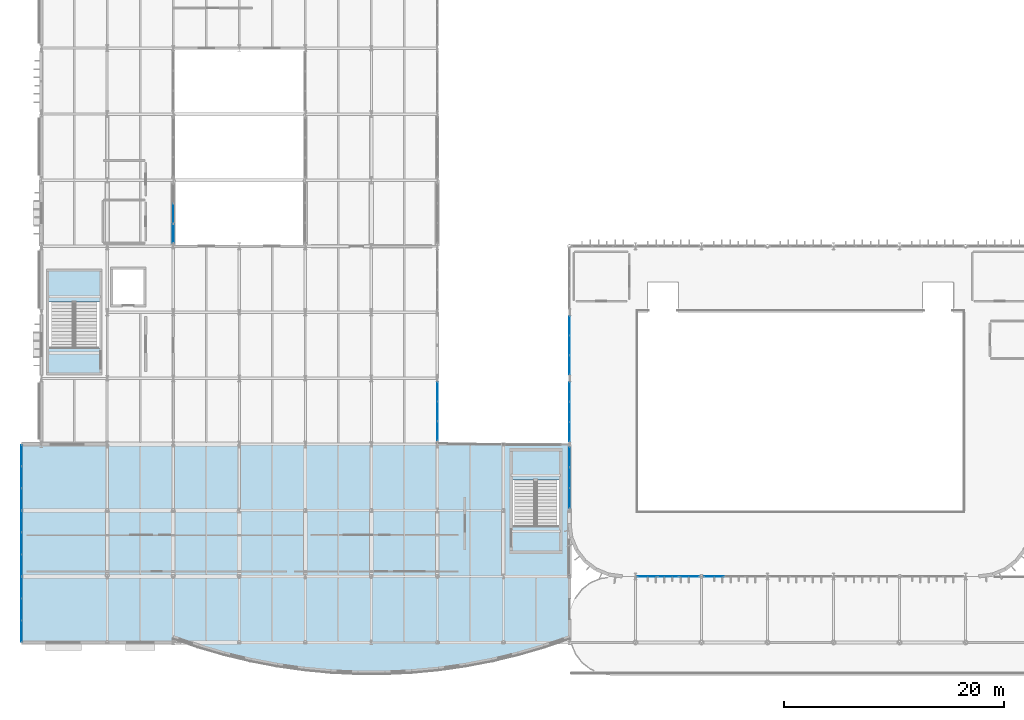
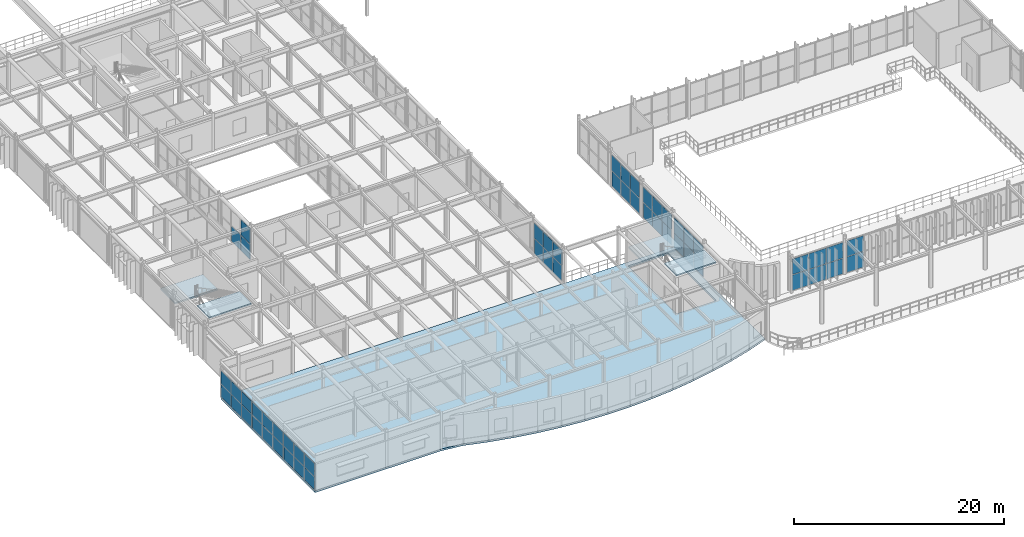
# One storey, part 55 of 96: 53 plates, 5 slabs, 12 elements without a shape of their own.
"""IFC4 building model written with IfcOpenShell, lengths in metres."""

from ifc_helpers import new_model, si_unit, direction, frame, origin, origin_2d, place, context, subcontext, project, spatial, polyline, rectangle, outline, extrude, material, layer, layer_set, type_object, element, aggregate, save


model = new_model("IFC4")

# Units and contexts
model_context = context("Model", 3, precision=1e-05, world=origin(), true_north=direction((0.0, 1.0)))
body_context = subcontext(model_context, "Body", "Model", "MODEL_VIEW")
ifc_project = project(units=[si_unit("LENGTHUNIT", "METRE"), si_unit("AREAUNIT", "SQUARE_METRE"), si_unit("VOLUMEUNIT", "CUBIC_METRE"), si_unit("PLANEANGLEUNIT", "RADIAN"), si_unit("MASSUNIT", "GRAM", prefix="KILO")], contexts=[model_context])

# Site, building, storey
site_placement = place(None, origin())
site = spatial("IfcSite", under=ifc_project, at=site_placement, CompositionType="ELEMENT")
building_placement = place(site_placement, origin())
building = spatial("IfcBuilding", under=site, at=building_placement, Name="Varnakota Square Police Headquarters", CompositionType="ELEMENT")
storey_placement = place(building_placement, frame((0.0, 0.0, 4.800048828125)))
storey = spatial("IfcBuildingStorey", under=building, at=storey_placement, Name="L01", CompositionType="ELEMENT", Elevation=4.800048828125)

# Curtain wall, plates
ifc_material_1 = material(Name="Anodised Aluminium Framing", Category="aluminium")
curtain_wall_type_1 = type_object("IfcCurtainWallType", Name="CW-SYS-B", PredefinedType="NOTDEFINED", material=ifc_material_1)
curtain_wall_1_placement = place(storey_placement, origin())
curtain_wall_1 = element("IfcCurtainWall", 1, at=curtain_wall_1_placement, inside=storey, type_object=curtain_wall_type_1, Name="Unitised curtain wall CWG-L01-031", PredefinedType="NOTDEFINED")
ifc_material_2 = material(Name="Solar-Control Laminated Double Glazing", Category="glass")
ifc_layer_1 = layer(ifc_material_2, 0.028076171875, Name="Solar-Control Laminated Double Glazing")
ifc_layer_set_1 = layer_set([ifc_layer_1], Name="Solar-Control Laminated Double Glazing")
plate_type_1 = type_object("IfcPlateType", Name="CWP-GLZ-28", PredefinedType="CURTAIN_PANEL", material=ifc_layer_set_1)
plate_1_placement = place(storey_placement, frame((54.0, 28.219482421875, 0.06494140625), z_axis=(0.0, 0.0, 1.0), x_axis=(0.0, 1.0, 0.0)))
plate_1 = element("IfcPlate", 2, at=plate_1_placement, type_object=plate_type_1, Name="CWG-L01-031 panel 1.1", PredefinedType="CURTAIN_PANEL", context=body_context, shape_type="SweptSolid", body=[
    extrude(rectangle(XDim=1.69921875, YDim=0.028076171875, at=origin_2d()), origin(), (0.0, 0.0, 1.0), 1.7724609375),
])
plate_2_placement = place(storey_placement, frame((54.0, 30.0, 0.06494140625), z_axis=(0.0, 0.0, 1.0), x_axis=(0.0, 1.0, 0.0)))
plate_2 = element("IfcPlate", 3, at=plate_2_placement, type_object=plate_type_1, Name="CWG-L01-031 panel 2.1", PredefinedType="CURTAIN_PANEL", context=body_context, shape_type="SweptSolid", body=[
    extrude(rectangle(XDim=1.731689453125, YDim=0.028076171875, at=origin_2d()), origin(), (0.0, 0.0, 1.0), 1.7724609375),
])
plate_3_placement = place(storey_placement, frame((54.0, 31.780517578125, 0.06494140625), z_axis=(0.0, 0.0, 1.0), x_axis=(0.0, 1.0, 0.0)))
plate_3 = element("IfcPlate", 4, at=plate_3_placement, type_object=plate_type_1, Name="CWG-L01-031 panel 3.1", PredefinedType="CURTAIN_PANEL", context=body_context, shape_type="SweptSolid", body=[
    extrude(rectangle(XDim=1.69921875, YDim=0.028076171875, at=origin_2d()), origin(), (0.0, 0.0, 1.0), 1.7724609375),
])

curtain_wall_2_placement = place(storey_placement, origin())
curtain_wall_2 = element("IfcCurtainWall", 5, at=curtain_wall_2_placement, inside=storey, type_object=curtain_wall_type_1, Name="Unitised curtain wall CWG-L01-043", PredefinedType="NOTDEFINED")
plate_4_placement = place(storey_placement, frame((4.199951171875, 10.016357421875, 0.06494140625), z_axis=(0.0, 0.0, 1.0), x_axis=(0.0, 1.0, 0.0)))
plate_4 = element("IfcPlate", 6, at=plate_4_placement, type_object=plate_type_1, Name="CWG-L01-043 panel 1.1", PredefinedType="CURTAIN_PANEL", context=body_context, shape_type="SweptSolid", body=[
    extrude(rectangle(XDim=1.902587890625, YDim=0.028076171875, at=origin_2d()), origin(), (0.0, 0.0, 1.0), 1.49755859375),
])
plate_5_placement = place(storey_placement, frame((4.199951171875, 12.0, 0.06494140625), z_axis=(0.0, 0.0, 1.0), x_axis=(0.0, 1.0, 0.0)))
plate_5 = element("IfcPlate", 7, at=plate_5_placement, type_object=plate_type_1, Name="CWG-L01-043 panel 2.1", PredefinedType="CURTAIN_PANEL", context=body_context, shape_type="SweptSolid", body=[
    extrude(rectangle(XDim=1.93505859375, YDim=0.028076171875, at=origin_2d()), origin(), (0.0, 0.0, 1.0), 1.49755859375),
])
plate_6_placement = place(storey_placement, frame((4.199951171875, 13.983642578125, 0.06494140625), z_axis=(0.0, 0.0, 1.0), x_axis=(0.0, 1.0, 0.0)))
plate_6 = element("IfcPlate", 8, at=plate_6_placement, type_object=plate_type_1, Name="CWG-L01-043 panel 3.1", PredefinedType="CURTAIN_PANEL", context=body_context, shape_type="SweptSolid", body=[
    extrude(rectangle(XDim=1.902587890625, YDim=0.028076171875, at=origin_2d()), origin(), (0.0, 0.0, 1.0), 1.49755859375),
])

curtain_wall_3_placement = place(storey_placement, origin())
curtain_wall_3 = element("IfcCurtainWall", 9, at=curtain_wall_3_placement, inside=storey, type_object=curtain_wall_type_1, Name="Unitised curtain wall CWG-L01-016", PredefinedType="NOTDEFINED")
ifc_material_3 = material(Name="Acoustic Laminated Double Glazing", Category="glass")
ifc_layer_2 = layer(ifc_material_3, 0.031982421875, Name="Acoustic Laminated Double Glazing")
ifc_layer_set_2 = layer_set([ifc_layer_2], Name="Acoustic Laminated Double Glazing")
plate_type_2 = type_object("IfcPlateType", Name="CWP-GLZ-32", PredefinedType="CURTAIN_PANEL", material=ifc_layer_set_2)
plate_7_placement = place(storey_placement, frame((61.0966796875, 9.0, 0.06494140625), z_axis=(0.0, 0.0, 1.0), x_axis=(1.0, 0.0, 0.0)))
plate_7 = element("IfcPlate", 10, at=plate_7_placement, type_object=plate_type_2, Name="CWG-L01-016 panel 1.1", PredefinedType="CURTAIN_PANEL", context=body_context, shape_type="SweptSolid", body=[
    extrude(rectangle(XDim=1.803466796875, YDim=0.031982421875, at=origin_2d()), origin(), (0.0, 0.0, 1.0), 1.797607421875),
])
plate_8_placement = place(storey_placement, frame((62.9814453125, 9.0, 0.06494140625), z_axis=(0.0, 0.0, 1.0), x_axis=(1.0, 0.0, 0.0)))
plate_8 = element("IfcPlate", 11, at=plate_8_placement, type_object=plate_type_2, Name="CWG-L01-016 panel 2.1", PredefinedType="CURTAIN_PANEL", context=body_context, shape_type="SweptSolid", body=[
    extrude(rectangle(XDim=1.8359375, YDim=0.031982421875, at=origin_2d()), origin(), (0.0, 0.0, 1.0), 1.797607421875),
])
plate_9_placement = place(storey_placement, frame((64.866455078125, 9.0, 0.06494140625), z_axis=(0.0, 0.0, 1.0), x_axis=(1.0, 0.0, 0.0)))
plate_9 = element("IfcPlate", 12, at=plate_9_placement, type_object=plate_type_2, Name="CWG-L01-016 panel 3.1", PredefinedType="CURTAIN_PANEL", context=body_context, shape_type="SweptSolid", body=[
    extrude(rectangle(XDim=1.803466796875, YDim=0.031982421875, at=origin_2d()), origin(), (0.0, 0.0, 1.0), 1.797607421875),
])

curtain_wall_4_placement = place(storey_placement, origin())
curtain_wall_4 = element("IfcCurtainWall", 13, at=curtain_wall_4_placement, inside=storey, type_object=curtain_wall_type_1, Name="Unitised curtain wall CWG-L01-028", PredefinedType="NOTDEFINED")
plate_10_placement = place(storey_placement, frame((54.0, 16.111328125, 0.06494140625), z_axis=(0.0, 0.0, 1.0), x_axis=(0.0, 1.0, 0.0)))
plate_10 = element("IfcPlate", 14, at=plate_10_placement, type_object=plate_type_2, Name="CWG-L01-028 panel 1.1", PredefinedType="CURTAIN_PANEL", context=body_context, shape_type="SweptSolid", body=[
    extrude(rectangle(XDim=1.782470703125, YDim=0.031982421875, at=origin_2d()), origin(), (0.0, 0.0, 1.0), 1.74755859375),
])
plate_11_placement = place(storey_placement, frame((54.0, 17.97509765625, 0.06494140625), z_axis=(0.0, 0.0, 1.0), x_axis=(0.0, 1.0, 0.0)))
plate_11 = element("IfcPlate", 15, at=plate_11_placement, type_object=plate_type_2, Name="CWG-L01-028 panel 2.1", PredefinedType="CURTAIN_PANEL", context=body_context, shape_type="SweptSolid", body=[
    extrude(rectangle(XDim=1.81494140625, YDim=0.031982421875, at=origin_2d()), origin(), (0.0, 0.0, 1.0), 1.74755859375),
])
plate_12_placement = place(storey_placement, frame((54.0, 19.8388671875, 0.06494140625), z_axis=(0.0, 0.0, 1.0), x_axis=(0.0, 1.0, 0.0)))
plate_12 = element("IfcPlate", 16, at=plate_12_placement, type_object=plate_type_2, Name="CWG-L01-028 panel 3.1", PredefinedType="CURTAIN_PANEL", context=body_context, shape_type="SweptSolid", body=[
    extrude(rectangle(XDim=1.782470703125, YDim=0.031982421875, at=origin_2d()), origin(), (0.0, 0.0, 1.0), 1.74755859375),
])

curtain_wall_5_placement = place(storey_placement, origin())
curtain_wall_5 = element("IfcCurtainWall", 17, at=curtain_wall_5_placement, inside=storey, type_object=curtain_wall_type_1, Name="Unitised curtain wall CWG-L01-044", PredefinedType="NOTDEFINED")
plate_13_placement = place(storey_placement, frame((4.199951171875, 16.016357421875, 0.06494140625), z_axis=(0.0, 0.0, 1.0), x_axis=(0.0, 1.0, 0.0)))
plate_13 = element("IfcPlate", 18, at=plate_13_placement, type_object=plate_type_2, Name="CWG-L01-044 panel 1.1", PredefinedType="CURTAIN_PANEL", context=body_context, shape_type="SweptSolid", body=[
    extrude(rectangle(XDim=1.902587890625, YDim=0.031982421875, at=origin_2d()), origin(), (0.0, 0.0, 1.0), 1.49755859375),
])
plate_14_placement = place(storey_placement, frame((4.199951171875, 18.0, 0.06494140625), z_axis=(0.0, 0.0, 1.0), x_axis=(0.0, 1.0, 0.0)))
plate_14 = element("IfcPlate", 19, at=plate_14_placement, type_object=plate_type_2, Name="CWG-L01-044 panel 2.1", PredefinedType="CURTAIN_PANEL", context=body_context, shape_type="SweptSolid", body=[
    extrude(rectangle(XDim=1.93505859375, YDim=0.031982421875, at=origin_2d()), origin(), (0.0, 0.0, 1.0), 1.49755859375),
])
plate_15_placement = place(storey_placement, frame((4.199951171875, 19.983642578125, 0.06494140625), z_axis=(0.0, 0.0, 1.0), x_axis=(0.0, 1.0, 0.0)))
plate_15 = element("IfcPlate", 20, at=plate_15_placement, type_object=plate_type_2, Name="CWG-L01-044 panel 3.1", PredefinedType="CURTAIN_PANEL", context=body_context, shape_type="SweptSolid", body=[
    extrude(rectangle(XDim=1.902587890625, YDim=0.031982421875, at=origin_2d()), origin(), (0.0, 0.0, 1.0), 1.49755859375),
])

curtain_wall_type_2 = type_object("IfcCurtainWallType", Name="CW-SYS-D", PredefinedType="NOTDEFINED", material=ifc_material_1)
curtain_wall_6_placement = place(storey_placement, origin())
curtain_wall_6 = element("IfcCurtainWall", 21, at=curtain_wall_6_placement, inside=storey, type_object=curtain_wall_type_2, Name="Unitised curtain wall CWG-L01-140", PredefinedType="NOTDEFINED")
plate_16_placement = place(storey_placement, frame((42.0, 22.219482421875, 0.06494140625), z_axis=(0.0, 0.0, 1.0), x_axis=(0.0, 1.0, 0.0)))
plate_16 = element("IfcPlate", 22, at=plate_16_placement, type_object=plate_type_2, Name="CWG-L01-140 panel 1.1", PredefinedType="CURTAIN_PANEL", context=body_context, shape_type="SweptSolid", body=[
    extrude(rectangle(XDim=1.69921875, YDim=0.031982421875, at=origin_2d()), origin(), (0.0, 0.0, 1.0), 1.74755859375),
])
plate_17_placement = place(storey_placement, frame((42.0, 24.0, 0.06494140625), z_axis=(0.0, 0.0, 1.0), x_axis=(0.0, 1.0, 0.0)))
plate_17 = element("IfcPlate", 23, at=plate_17_placement, type_object=plate_type_2, Name="CWG-L01-140 panel 2.1", PredefinedType="CURTAIN_PANEL", context=body_context, shape_type="SweptSolid", body=[
    extrude(rectangle(XDim=1.731689453125, YDim=0.031982421875, at=origin_2d()), origin(), (0.0, 0.0, 1.0), 1.74755859375),
])
plate_18_placement = place(storey_placement, frame((42.0, 25.780517578125, 0.06494140625), z_axis=(0.0, 0.0, 1.0), x_axis=(0.0, 1.0, 0.0)))
plate_18 = element("IfcPlate", 24, at=plate_18_placement, type_object=plate_type_2, Name="CWG-L01-140 panel 3.1", PredefinedType="CURTAIN_PANEL", context=body_context, shape_type="SweptSolid", body=[
    extrude(rectangle(XDim=1.69921875, YDim=0.031982421875, at=origin_2d()), origin(), (0.0, 0.0, 1.0), 1.74755859375),
])

curtain_wall_type_3 = type_object("IfcCurtainWallType", Name="CW-SYS-F", PredefinedType="NOTDEFINED", material=ifc_material_1)
curtain_wall_7_placement = place(storey_placement, origin())
curtain_wall_7 = element("IfcCurtainWall", 25, at=curtain_wall_7_placement, inside=storey, type_object=curtain_wall_type_3, Name="Unitised curtain wall CWG-L01-148", PredefinedType="NOTDEFINED")
plate_19_placement = place(storey_placement, frame((18.0, 40.156982421875, 0.06494140625), z_axis=(0.0, 0.0, 1.0), x_axis=(0.0, 1.0, 0.0)))
plate_19 = element("IfcPlate", 26, at=plate_19_placement, type_object=plate_type_2, Name="CWG-L01-148 panel 1.1", PredefinedType="CURTAIN_PANEL", context=body_context, shape_type="SweptSolid", body=[
    extrude(rectangle(XDim=1.72412109375, YDim=0.031982421875, at=origin_2d()), origin(), (0.0, 0.0, 1.0), 1.794189453125),
])
plate_20_placement = place(storey_placement, frame((18.0, 41.96240234375, 0.06494140625), z_axis=(0.0, 0.0, 1.0), x_axis=(0.0, 1.0, 0.0)))
plate_20 = element("IfcPlate", 27, at=plate_20_placement, type_object=plate_type_2, Name="CWG-L01-148 panel 2.1", PredefinedType="CURTAIN_PANEL", context=body_context, shape_type="SweptSolid", body=[
    extrude(rectangle(XDim=1.756591796875, YDim=0.031982421875, at=origin_2d()), origin(), (0.0, 0.0, 1.0), 1.794189453125),
])

# Curtain wall, plate
curtain_wall_8_placement = place(storey_placement, origin())
curtain_wall_8 = element("IfcCurtainWall", 28, at=curtain_wall_8_placement, inside=storey, type_object=curtain_wall_type_1, Name="Unitised curtain wall CWG-L01-017", PredefinedType="NOTDEFINED")
ifc_material_4 = material(Name="Blast-Resistant Laminated Glazing", Category="glass")
ifc_layer_3 = layer(ifc_material_4, 0.035888671875, Name="Blast-Resistant Laminated Glazing")
ifc_layer_set_3 = layer_set([ifc_layer_3], Name="Blast-Resistant Laminated Glazing")
plate_type_3 = type_object("IfcPlateType", Name="CWP-GLZ-36", PredefinedType="CURTAIN_PANEL", material=ifc_layer_set_3)
plate_21_placement = place(storey_placement, frame((67.133544921875, 9.0, 0.06494140625), z_axis=(0.0, 0.0, 1.0), x_axis=(1.0, 0.0, 0.0)))
plate_21 = element("IfcPlate", 29, at=plate_21_placement, type_object=plate_type_3, Name="CWG-L01-017 panel 1.1", PredefinedType="CURTAIN_PANEL", context=body_context, shape_type="SweptSolid", body=[
    extrude(rectangle(XDim=1.803466796875, YDim=0.035888671875, at=origin_2d()), origin(), (0.0, 0.0, 1.0), 1.797607421875),
])

# Curtain wall, plates
curtain_wall_9_placement = place(storey_placement, origin())
curtain_wall_9 = element("IfcCurtainWall", 30, at=curtain_wall_9_placement, inside=storey, type_object=curtain_wall_type_1, Name="Unitised curtain wall CWG-L01-029", PredefinedType="NOTDEFINED")
plate_22_placement = place(storey_placement, frame((54.0, 22.13623046875, 0.06494140625), z_axis=(0.0, 0.0, 1.0), x_axis=(0.0, 1.0, 0.0)))
plate_22 = element("IfcPlate", 31, at=plate_22_placement, type_object=plate_type_3, Name="CWG-L01-029 panel 1.1", PredefinedType="CURTAIN_PANEL", context=body_context, shape_type="SweptSolid", body=[
    extrude(rectangle(XDim=1.732421875, YDim=0.035888671875, at=origin_2d()), origin(), (0.0, 0.0, 1.0), 1.74755859375),
])
plate_23_placement = place(storey_placement, frame((54.0, 23.949951171875, 0.06494140625), z_axis=(0.0, 0.0, 1.0), x_axis=(0.0, 1.0, 0.0)))
plate_23 = element("IfcPlate", 32, at=plate_23_placement, type_object=plate_type_3, Name="CWG-L01-029 panel 2.1", PredefinedType="CURTAIN_PANEL", context=body_context, shape_type="SweptSolid", body=[
    extrude(rectangle(XDim=1.764892578125, YDim=0.035888671875, at=origin_2d()), origin(), (0.0, 0.0, 1.0), 1.74755859375),
])
plate_24_placement = place(storey_placement, frame((54.0, 25.763671875, 0.06494140625), z_axis=(0.0, 0.0, 1.0), x_axis=(0.0, 1.0, 0.0)))
plate_24 = element("IfcPlate", 33, at=plate_24_placement, type_object=plate_type_3, Name="CWG-L01-029 panel 3.1", PredefinedType="CURTAIN_PANEL", context=body_context, shape_type="SweptSolid", body=[
    extrude(rectangle(XDim=1.732421875, YDim=0.035888671875, at=origin_2d()), origin(), (0.0, 0.0, 1.0), 1.74755859375),
])

curtain_wall_10_placement = place(storey_placement, origin())
curtain_wall_10 = element("IfcCurtainWall", 34, at=curtain_wall_10_placement, inside=storey, type_object=curtain_wall_type_1, Name="Unitised curtain wall CWG-L01-042", PredefinedType="NOTDEFINED")
ifc_material_5 = material(Name="Triple-Glazed Clean-Lab Vision Unit", Category="aluminium")
ifc_layer_4 = layer(ifc_material_5, 0.0419921875, Name="Triple-Glazed Clean-Lab Vision Unit")
ifc_layer_set_4 = layer_set([ifc_layer_4], Name="Triple-Glazed Clean-Lab Vision Unit")
plate_type_4 = type_object("IfcPlateType", Name="CWP-GLZ-42", PredefinedType="CURTAIN_PANEL", material=ifc_layer_set_4)
plate_25_placement = place(storey_placement, frame((4.199951171875, 4.016357421875, 0.06494140625), z_axis=(0.0, 0.0, 1.0), x_axis=(0.0, 1.0, 0.0)))
plate_25 = element("IfcPlate", 35, at=plate_25_placement, type_object=plate_type_4, Name="CWG-L01-042 panel 1.1", PredefinedType="CURTAIN_PANEL", context=body_context, shape_type="SweptSolid", body=[
    extrude(rectangle(XDim=1.902587890625, YDim=0.0419921875, at=origin_2d()), origin(), (0.0, 0.0, 1.0), 1.49755859375),
])
plate_26_placement = place(storey_placement, frame((4.199951171875, 6.0, 0.06494140625), z_axis=(0.0, 0.0, 1.0), x_axis=(0.0, 1.0, 0.0)))
plate_26 = element("IfcPlate", 36, at=plate_26_placement, type_object=plate_type_4, Name="CWG-L01-042 panel 2.1", PredefinedType="CURTAIN_PANEL", context=body_context, shape_type="SweptSolid", body=[
    extrude(rectangle(XDim=1.93505859375, YDim=0.0419921875, at=origin_2d()), origin(), (0.0, 0.0, 1.0), 1.49755859375),
])
plate_27_placement = place(storey_placement, frame((4.199951171875, 7.983642578125, 0.06494140625), z_axis=(0.0, 0.0, 1.0), x_axis=(0.0, 1.0, 0.0)))
plate_27 = element("IfcPlate", 37, at=plate_27_placement, type_object=plate_type_4, Name="CWG-L01-042 panel 3.1", PredefinedType="CURTAIN_PANEL", context=body_context, shape_type="SweptSolid", body=[
    extrude(rectangle(XDim=1.902587890625, YDim=0.0419921875, at=origin_2d()), origin(), (0.0, 0.0, 1.0), 1.49755859375),
])

# Plate
ifc_material_6 = material(Name="Insulated Anodised Aluminium Spandrel Panel", Category="aluminium")
ifc_layer_5 = layer(ifc_material_6, 0.050048828125, Name="Insulated Anodised Aluminium Spandrel Panel")
ifc_layer_set_5 = layer_set([ifc_layer_5], Name="Insulated Anodised Aluminium Spandrel Panel")
plate_type_5 = type_object("IfcPlateType", Name="CWP-SPN-50", PredefinedType="CURTAIN_PANEL", material=ifc_layer_set_5)
plate_28_placement = place(storey_placement, frame((67.133544921875, 9.0, 1.92724609375), z_axis=(0.0, 0.0, 1.0), x_axis=(1.0, 0.0, 0.0)))
plate_28 = element("IfcPlate", 38, at=plate_28_placement, type_object=plate_type_5, Name="CWG-L01-017 panel 1.2", PredefinedType="CURTAIN_PANEL", context=body_context, shape_type="SweptSolid", body=[
    extrude(rectangle(XDim=1.803466796875, YDim=0.050048828125, at=origin_2d()), origin(), (0.0, 0.0, 1.0), 1.797607421875),
])

aggregate(curtain_wall_8, [plate_21, plate_28])

plate_29_placement = place(storey_placement, frame((54.0, 22.13623046875, 1.87744140625), z_axis=(0.0, 0.0, 1.0), x_axis=(0.0, 1.0, 0.0)))
plate_29 = element("IfcPlate", 39, at=plate_29_placement, type_object=plate_type_5, Name="CWG-L01-029 panel 1.2", PredefinedType="CURTAIN_PANEL", context=body_context, shape_type="SweptSolid", body=[
    extrude(rectangle(XDim=1.732421875, YDim=0.050048828125, at=origin_2d()), origin(), (0.0, 0.0, 1.0), 1.74755859375),
])

plate_30_placement = place(storey_placement, frame((54.0, 23.949951171875, 1.87744140625), z_axis=(0.0, 0.0, 1.0), x_axis=(0.0, 1.0, 0.0)))
plate_30 = element("IfcPlate", 40, at=plate_30_placement, type_object=plate_type_5, Name="CWG-L01-029 panel 2.2", PredefinedType="CURTAIN_PANEL", context=body_context, shape_type="SweptSolid", body=[
    extrude(rectangle(XDim=1.764892578125, YDim=0.050048828125, at=origin_2d()), origin(), (0.0, 0.0, 1.0), 1.74755859375),
])

plate_31_placement = place(storey_placement, frame((54.0, 25.763671875, 1.87744140625), z_axis=(0.0, 0.0, 1.0), x_axis=(0.0, 1.0, 0.0)))
plate_31 = element("IfcPlate", 41, at=plate_31_placement, type_object=plate_type_5, Name="CWG-L01-029 panel 3.2", PredefinedType="CURTAIN_PANEL", context=body_context, shape_type="SweptSolid", body=[
    extrude(rectangle(XDim=1.732421875, YDim=0.050048828125, at=origin_2d()), origin(), (0.0, 0.0, 1.0), 1.74755859375),
])

aggregate(curtain_wall_9, [plate_22, plate_29, plate_23, plate_30, plate_24, plate_31])

plate_32_placement = place(storey_placement, frame((54.0, 28.219482421875, 1.902587890625), z_axis=(0.0, 0.0, 1.0), x_axis=(0.0, 1.0, 0.0)))
plate_32 = element("IfcPlate", 42, at=plate_32_placement, type_object=plate_type_5, Name="CWG-L01-031 panel 1.2", PredefinedType="CURTAIN_PANEL", context=body_context, shape_type="SweptSolid", body=[
    extrude(rectangle(XDim=1.69921875, YDim=0.050048828125, at=origin_2d()), origin(), (0.0, 0.0, 1.0), 1.7724609375),
])

plate_33_placement = place(storey_placement, frame((54.0, 30.0, 1.902587890625), z_axis=(0.0, 0.0, 1.0), x_axis=(0.0, 1.0, 0.0)))
plate_33 = element("IfcPlate", 43, at=plate_33_placement, type_object=plate_type_5, Name="CWG-L01-031 panel 2.2", PredefinedType="CURTAIN_PANEL", context=body_context, shape_type="SweptSolid", body=[
    extrude(rectangle(XDim=1.731689453125, YDim=0.050048828125, at=origin_2d()), origin(), (0.0, 0.0, 1.0), 1.7724609375),
])

plate_34_placement = place(storey_placement, frame((54.0, 31.780517578125, 1.902587890625), z_axis=(0.0, 0.0, 1.0), x_axis=(0.0, 1.0, 0.0)))
plate_34 = element("IfcPlate", 44, at=plate_34_placement, type_object=plate_type_5, Name="CWG-L01-031 panel 3.2", PredefinedType="CURTAIN_PANEL", context=body_context, shape_type="SweptSolid", body=[
    extrude(rectangle(XDim=1.69921875, YDim=0.050048828125, at=origin_2d()), origin(), (0.0, 0.0, 1.0), 1.7724609375),
])

aggregate(curtain_wall_1, [plate_1, plate_32, plate_2, plate_33, plate_3, plate_34])

plate_35_placement = place(storey_placement, frame((4.199951171875, 10.016357421875, 1.62744140625), z_axis=(0.0, 0.0, 1.0), x_axis=(0.0, 1.0, 0.0)))
plate_35 = element("IfcPlate", 45, at=plate_35_placement, type_object=plate_type_5, Name="CWG-L01-043 panel 1.2", PredefinedType="CURTAIN_PANEL", context=body_context, shape_type="SweptSolid", body=[
    extrude(rectangle(XDim=1.902587890625, YDim=0.050048828125, at=origin_2d()), origin(), (0.0, 0.0, 1.0), 1.49755859375),
])

plate_36_placement = place(storey_placement, frame((4.199951171875, 12.0, 1.62744140625), z_axis=(0.0, 0.0, 1.0), x_axis=(0.0, 1.0, 0.0)))
plate_36 = element("IfcPlate", 46, at=plate_36_placement, type_object=plate_type_5, Name="CWG-L01-043 panel 2.2", PredefinedType="CURTAIN_PANEL", context=body_context, shape_type="SweptSolid", body=[
    extrude(rectangle(XDim=1.93505859375, YDim=0.050048828125, at=origin_2d()), origin(), (0.0, 0.0, 1.0), 1.49755859375),
])

plate_37_placement = place(storey_placement, frame((4.199951171875, 13.983642578125, 1.62744140625), z_axis=(0.0, 0.0, 1.0), x_axis=(0.0, 1.0, 0.0)))
plate_37 = element("IfcPlate", 47, at=plate_37_placement, type_object=plate_type_5, Name="CWG-L01-043 panel 3.2", PredefinedType="CURTAIN_PANEL", context=body_context, shape_type="SweptSolid", body=[
    extrude(rectangle(XDim=1.902587890625, YDim=0.050048828125, at=origin_2d()), origin(), (0.0, 0.0, 1.0), 1.49755859375),
])

aggregate(curtain_wall_2, [plate_4, plate_35, plate_5, plate_36, plate_6, plate_37])

ifc_material_7 = material(Name="Fire-Stopped Mineral-Wool Spandrel Panel", Category="aluminium")
ifc_layer_6 = layer(ifc_material_7, 0.06005859375, Name="Fire-Stopped Mineral-Wool Spandrel Panel")
ifc_layer_set_6 = layer_set([ifc_layer_6], Name="Fire-Stopped Mineral-Wool Spandrel Panel")
plate_type_6 = type_object("IfcPlateType", Name="CWP-SPN-60", PredefinedType="CURTAIN_PANEL", material=ifc_layer_set_6)
plate_38_placement = place(storey_placement, frame((61.0966796875, 9.0, 1.92724609375), z_axis=(0.0, 0.0, 1.0), x_axis=(1.0, 0.0, 0.0)))
plate_38 = element("IfcPlate", 48, at=plate_38_placement, type_object=plate_type_6, Name="CWG-L01-016 panel 1.2", PredefinedType="CURTAIN_PANEL", context=body_context, shape_type="SweptSolid", body=[
    extrude(rectangle(XDim=1.803466796875, YDim=0.06005859375, at=origin_2d()), origin(), (0.0, 0.0, 1.0), 1.797607421875),
])

plate_39_placement = place(storey_placement, frame((62.9814453125, 9.0, 1.92724609375), z_axis=(0.0, 0.0, 1.0), x_axis=(1.0, 0.0, 0.0)))
plate_39 = element("IfcPlate", 49, at=plate_39_placement, type_object=plate_type_6, Name="CWG-L01-016 panel 2.2", PredefinedType="CURTAIN_PANEL", context=body_context, shape_type="SweptSolid", body=[
    extrude(rectangle(XDim=1.8359375, YDim=0.06005859375, at=origin_2d()), origin(), (0.0, 0.0, 1.0), 1.797607421875),
])

plate_40_placement = place(storey_placement, frame((64.866455078125, 9.0, 1.92724609375), z_axis=(0.0, 0.0, 1.0), x_axis=(1.0, 0.0, 0.0)))
plate_40 = element("IfcPlate", 50, at=plate_40_placement, type_object=plate_type_6, Name="CWG-L01-016 panel 3.2", PredefinedType="CURTAIN_PANEL", context=body_context, shape_type="SweptSolid", body=[
    extrude(rectangle(XDim=1.803466796875, YDim=0.06005859375, at=origin_2d()), origin(), (0.0, 0.0, 1.0), 1.797607421875),
])

aggregate(curtain_wall_3, [plate_7, plate_38, plate_8, plate_39, plate_9, plate_40])

plate_41_placement = place(storey_placement, frame((54.0, 16.111328125, 1.87744140625), z_axis=(0.0, 0.0, 1.0), x_axis=(0.0, 1.0, 0.0)))
plate_41 = element("IfcPlate", 51, at=plate_41_placement, type_object=plate_type_6, Name="CWG-L01-028 panel 1.2", PredefinedType="CURTAIN_PANEL", context=body_context, shape_type="SweptSolid", body=[
    extrude(rectangle(XDim=1.782470703125, YDim=0.06005859375, at=origin_2d()), origin(), (0.0, 0.0, 1.0), 1.74755859375),
])

plate_42_placement = place(storey_placement, frame((54.0, 17.97509765625, 1.87744140625), z_axis=(0.0, 0.0, 1.0), x_axis=(0.0, 1.0, 0.0)))
plate_42 = element("IfcPlate", 52, at=plate_42_placement, type_object=plate_type_6, Name="CWG-L01-028 panel 2.2", PredefinedType="CURTAIN_PANEL", context=body_context, shape_type="SweptSolid", body=[
    extrude(rectangle(XDim=1.81494140625, YDim=0.06005859375, at=origin_2d()), origin(), (0.0, 0.0, 1.0), 1.74755859375),
])

plate_43_placement = place(storey_placement, frame((54.0, 19.8388671875, 1.87744140625), z_axis=(0.0, 0.0, 1.0), x_axis=(0.0, 1.0, 0.0)))
plate_43 = element("IfcPlate", 53, at=plate_43_placement, type_object=plate_type_6, Name="CWG-L01-028 panel 3.2", PredefinedType="CURTAIN_PANEL", context=body_context, shape_type="SweptSolid", body=[
    extrude(rectangle(XDim=1.782470703125, YDim=0.06005859375, at=origin_2d()), origin(), (0.0, 0.0, 1.0), 1.74755859375),
])

aggregate(curtain_wall_4, [plate_10, plate_41, plate_11, plate_42, plate_12, plate_43])

plate_44_placement = place(storey_placement, frame((4.199951171875, 4.016357421875, 1.62744140625), z_axis=(0.0, 0.0, 1.0), x_axis=(0.0, 1.0, 0.0)))
plate_44 = element("IfcPlate", 54, at=plate_44_placement, type_object=plate_type_6, Name="CWG-L01-042 panel 1.2", PredefinedType="CURTAIN_PANEL", context=body_context, shape_type="SweptSolid", body=[
    extrude(rectangle(XDim=1.902587890625, YDim=0.06005859375, at=origin_2d()), origin(), (0.0, 0.0, 1.0), 1.49755859375),
])

plate_45_placement = place(storey_placement, frame((4.199951171875, 6.0, 1.62744140625), z_axis=(0.0, 0.0, 1.0), x_axis=(0.0, 1.0, 0.0)))
plate_45 = element("IfcPlate", 55, at=plate_45_placement, type_object=plate_type_6, Name="CWG-L01-042 panel 2.2", PredefinedType="CURTAIN_PANEL", context=body_context, shape_type="SweptSolid", body=[
    extrude(rectangle(XDim=1.93505859375, YDim=0.06005859375, at=origin_2d()), origin(), (0.0, 0.0, 1.0), 1.49755859375),
])

plate_46_placement = place(storey_placement, frame((4.199951171875, 7.983642578125, 1.62744140625), z_axis=(0.0, 0.0, 1.0), x_axis=(0.0, 1.0, 0.0)))
plate_46 = element("IfcPlate", 56, at=plate_46_placement, type_object=plate_type_6, Name="CWG-L01-042 panel 3.2", PredefinedType="CURTAIN_PANEL", context=body_context, shape_type="SweptSolid", body=[
    extrude(rectangle(XDim=1.902587890625, YDim=0.06005859375, at=origin_2d()), origin(), (0.0, 0.0, 1.0), 1.49755859375),
])

aggregate(curtain_wall_10, [plate_25, plate_44, plate_26, plate_45, plate_27, plate_46])

plate_47_placement = place(storey_placement, frame((4.199951171875, 16.016357421875, 1.62744140625), z_axis=(0.0, 0.0, 1.0), x_axis=(0.0, 1.0, 0.0)))
plate_47 = element("IfcPlate", 57, at=plate_47_placement, type_object=plate_type_6, Name="CWG-L01-044 panel 1.2", PredefinedType="CURTAIN_PANEL", context=body_context, shape_type="SweptSolid", body=[
    extrude(rectangle(XDim=1.902587890625, YDim=0.06005859375, at=origin_2d()), origin(), (0.0, 0.0, 1.0), 1.49755859375),
])

plate_48_placement = place(storey_placement, frame((4.199951171875, 18.0, 1.62744140625), z_axis=(0.0, 0.0, 1.0), x_axis=(0.0, 1.0, 0.0)))
plate_48 = element("IfcPlate", 58, at=plate_48_placement, type_object=plate_type_6, Name="CWG-L01-044 panel 2.2", PredefinedType="CURTAIN_PANEL", context=body_context, shape_type="SweptSolid", body=[
    extrude(rectangle(XDim=1.93505859375, YDim=0.06005859375, at=origin_2d()), origin(), (0.0, 0.0, 1.0), 1.49755859375),
])

plate_49_placement = place(storey_placement, frame((4.199951171875, 19.983642578125, 1.62744140625), z_axis=(0.0, 0.0, 1.0), x_axis=(0.0, 1.0, 0.0)))
plate_49 = element("IfcPlate", 59, at=plate_49_placement, type_object=plate_type_6, Name="CWG-L01-044 panel 3.2", PredefinedType="CURTAIN_PANEL", context=body_context, shape_type="SweptSolid", body=[
    extrude(rectangle(XDim=1.902587890625, YDim=0.06005859375, at=origin_2d()), origin(), (0.0, 0.0, 1.0), 1.49755859375),
])

aggregate(curtain_wall_5, [plate_13, plate_47, plate_14, plate_48, plate_15, plate_49])

plate_50_placement = place(storey_placement, frame((42.0, 22.219482421875, 1.87744140625), z_axis=(0.0, 0.0, 1.0), x_axis=(0.0, 1.0, 0.0)))
plate_50 = element("IfcPlate", 60, at=plate_50_placement, type_object=plate_type_6, Name="CWG-L01-140 panel 1.2", PredefinedType="CURTAIN_PANEL", context=body_context, shape_type="SweptSolid", body=[
    extrude(rectangle(XDim=1.69921875, YDim=0.06005859375, at=origin_2d()), origin(), (0.0, 0.0, 1.0), 1.74755859375),
])

plate_51_placement = place(storey_placement, frame((42.0, 24.0, 1.87744140625), z_axis=(0.0, 0.0, 1.0), x_axis=(0.0, 1.0, 0.0)))
plate_51 = element("IfcPlate", 61, at=plate_51_placement, type_object=plate_type_6, Name="CWG-L01-140 panel 2.2", PredefinedType="CURTAIN_PANEL", context=body_context, shape_type="SweptSolid", body=[
    extrude(rectangle(XDim=1.731689453125, YDim=0.06005859375, at=origin_2d()), origin(), (0.0, 0.0, 1.0), 1.74755859375),
])

plate_52_placement = place(storey_placement, frame((42.0, 25.780517578125, 1.87744140625), z_axis=(0.0, 0.0, 1.0), x_axis=(0.0, 1.0, 0.0)))
plate_52 = element("IfcPlate", 62, at=plate_52_placement, type_object=plate_type_6, Name="CWG-L01-140 panel 3.2", PredefinedType="CURTAIN_PANEL", context=body_context, shape_type="SweptSolid", body=[
    extrude(rectangle(XDim=1.69921875, YDim=0.06005859375, at=origin_2d()), origin(), (0.0, 0.0, 1.0), 1.74755859375),
])

aggregate(curtain_wall_6, [plate_16, plate_50, plate_17, plate_51, plate_18, plate_52])

plate_53_placement = place(storey_placement, frame((18.0, 40.156982421875, 1.92431640625), z_axis=(0.0, 0.0, 1.0), x_axis=(0.0, 1.0, 0.0)))
plate_53 = element("IfcPlate", 63, at=plate_53_placement, type_object=plate_type_6, Name="CWG-L01-148 panel 1.2", PredefinedType="CURTAIN_PANEL", context=body_context, shape_type="SweptSolid", body=[
    extrude(rectangle(XDim=1.72412109375, YDim=0.06005859375, at=origin_2d()), origin(), (0.0, 0.0, 1.0), 1.794189453125),
])

aggregate(curtain_wall_7, [plate_19, plate_53, plate_20])

# Slab
ifc_material_8 = material(Name="Concrete M40", Category="concrete")
ifc_layer_7 = layer(ifc_material_8, 0.219970703125, Name="Concrete M40")
ifc_layer_set_7 = layer_set([ifc_layer_7], Name="Concrete M40")
slab_type_1 = type_object("IfcSlabType", Name="SL-COMP-220", PredefinedType="FLOOR", material=ifc_layer_set_7)
slab_1_placement = place(storey_placement, frame((0.0, 0.0, -0.219970703125)))
element("IfcSlab", 64, at=slab_1_placement, inside=storey, type_object=slab_type_1, Name="L01 Curved Colonnade and Cantilever Slab", PredefinedType="FLOOR", context=body_context, shape_type="SweptSolid", body=[
    extrude(outline(polyline([(4.199951171875, 3.0), (18.0, 3.0), (20.318359375, 2.706298828125), (22.67138671875, 2.0224609375), (25.05419921875, 1.4501953125), (27.461181640625, 0.9912109375), (29.887451171875, 0.645751953125), (32.326904296875, 0.4150390625), (34.77490234375, 0.2998046875), (37.22509765625, 0.2998046875), (39.673095703125, 0.4150390625), (42.112548828125, 0.645751953125), (44.538818359375, 0.9912109375), (46.94580078125, 1.4501953125), (49.32861328125, 2.0224609375), (51.681640625, 2.706298828125), (54.0, 3.5), (54.0, 21.0), (4.199951171875, 21.0), (4.199951171875, 3.0)]), holes=[polyline([(48.7548828125, 11.2548828125), (53.14501953125, 11.2548828125), (53.14501953125, 20.445068359375), (48.7548828125, 20.445068359375), (48.7548828125, 11.2548828125)])]), origin(), (0.0, 0.0, 1.0), 0.219970703125),
])

# Stair, slabs
stair_type_1 = type_object("IfcStairType", Name="STR-DOG-1850", PredefinedType="USERDEFINED", material=ifc_material_8)
stair_1_placement = place(storey_placement, origin())
stair_1 = element("IfcStair", 65, at=stair_1_placement, inside=storey, type_object=stair_type_1, Name="Protected exit stair ST10 (L01)", ObjectType="TWO_RETURN_STAIR", PredefinedType="USERDEFINED")
ifc_layer_8 = layer(ifc_material_8, 0.157958984375, Name="Concrete M40")
ifc_layer_set_8 = layer_set([ifc_layer_8], Name="Concrete M40")
slab_type_2 = type_object("IfcSlabType", Name="SLB-LND-1850", PredefinedType="LANDING", material=ifc_layer_set_8)
slab_2_placement = place(storey_placement, frame((0.0, 0.0, 2.092041015625)))
slab_2 = element("IfcSlab", 66, at=slab_2_placement, type_object=slab_type_2, Name="ST10-L01 landing 1", PredefinedType="LANDING", context=body_context, shape_type="SweptSolid", body=[
    extrude(outline(polyline([(48.760009765625, 17.750732421875), (53.139892578125, 17.750732421875), (53.139892578125, 20.43994140625), (48.760009765625, 20.43994140625), (48.760009765625, 17.750732421875)])), origin(), (0.0, 0.0, 1.0), 0.157958984375),
])
slab_3_placement = place(storey_placement, frame((0.0, 0.0, 4.342041015625)))
slab_3 = element("IfcSlab", 67, at=slab_3_placement, type_object=slab_type_2, Name="ST10-L01 landing 2", PredefinedType="LANDING", context=body_context, shape_type="SweptSolid", body=[
    extrude(outline(polyline([(48.760009765625, 11.260009765625), (53.139892578125, 11.260009765625), (53.139892578125, 13.550048828125), (48.760009765625, 13.550048828125), (48.760009765625, 11.260009765625)])), origin(), (0.0, 0.0, 1.0), 0.157958984375),
])
aggregate(stair_1, [slab_2, slab_3])

stair_type_2 = type_object("IfcStairType", Name="STR-DOG-2000", PredefinedType="USERDEFINED", material=ifc_material_8)
stair_2_placement = place(storey_placement, origin())
stair_2 = element("IfcStair", 68, at=stair_2_placement, inside=storey, type_object=stair_type_2, Name="Protected exit stair ST4 (L01)", ObjectType="TWO_RETURN_STAIR", PredefinedType="USERDEFINED")
ifc_layer_9 = layer(ifc_material_8, 0.166015625, Name="Concrete M40")
ifc_layer_set_9 = layer_set([ifc_layer_9], Name="Concrete M40")
slab_type_3 = type_object("IfcSlabType", Name="SLB-LND-2000", PredefinedType="LANDING", material=ifc_layer_set_9)
slab_4_placement = place(storey_placement, frame((0.0, 0.0, 2.083984375)))
slab_4 = element("IfcSlab", 69, at=slab_4_placement, type_object=slab_type_3, Name="ST4-L01 landing 1", PredefinedType="LANDING", context=body_context, shape_type="SweptSolid", body=[
    extrude(outline(polyline([(6.659912109375, 33.95068359375), (11.340087890625, 33.95068359375), (11.340087890625, 36.739990234375), (6.659912109375, 36.739990234375), (6.659912109375, 33.95068359375)])), origin(), (0.0, 0.0, 1.0), 0.166015625),
])
slab_5_placement = place(storey_placement, frame((0.0, 0.0, 4.333984375)))
slab_5 = element("IfcSlab", 70, at=slab_5_placement, type_object=slab_type_3, Name="ST4-L01 landing 2", PredefinedType="LANDING", context=body_context, shape_type="SweptSolid", body=[
    extrude(outline(polyline([(6.659912109375, 27.4599609375), (11.340087890625, 27.4599609375), (11.340087890625, 29.75), (6.659912109375, 29.75), (6.659912109375, 27.4599609375)])), origin(), (0.0, 0.0, 1.0), 0.166015625),
])
aggregate(stair_2, [slab_4, slab_5])

save(model, "model.ifc")
